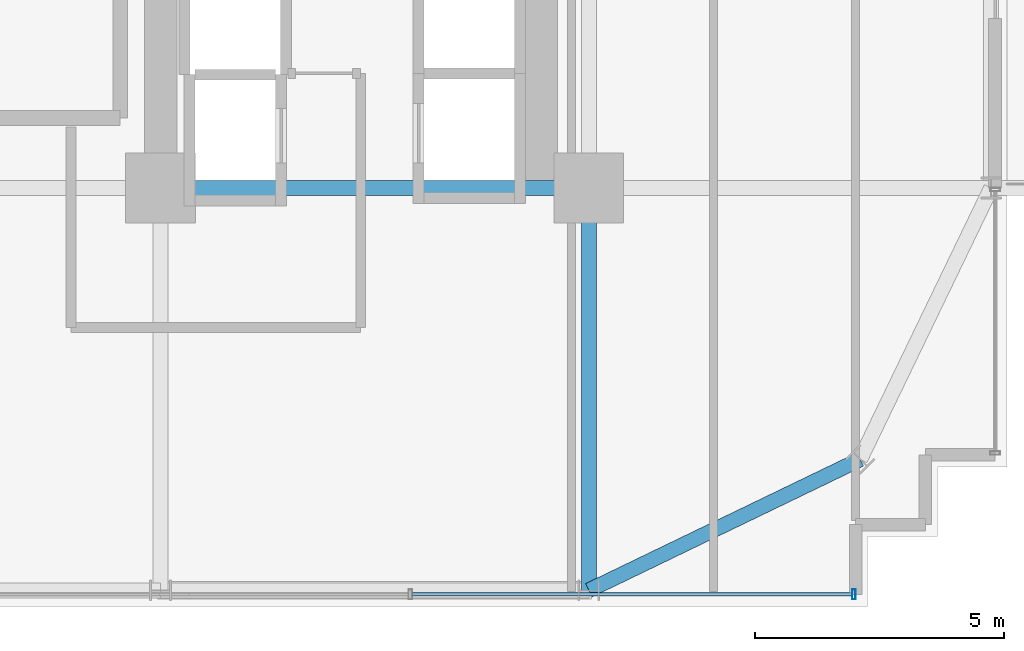
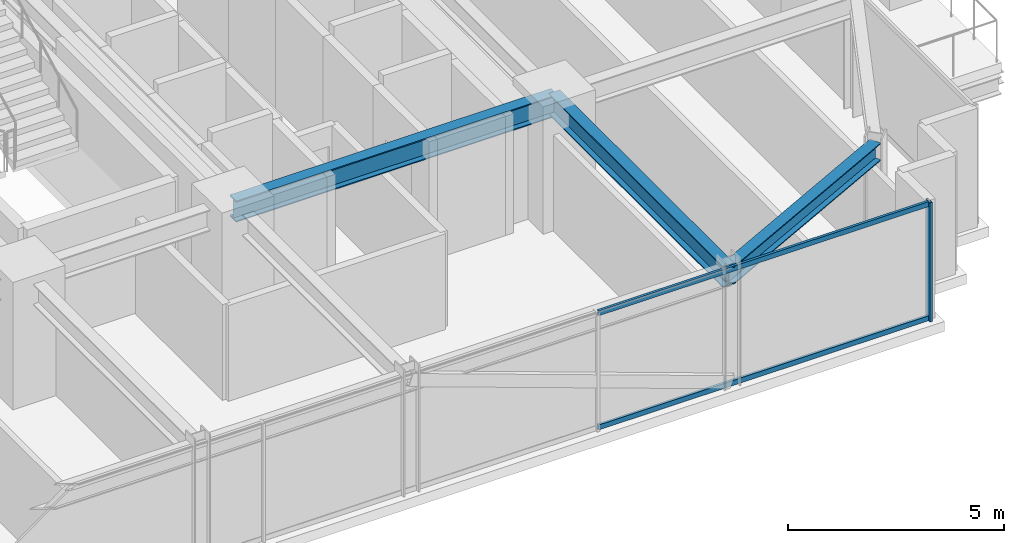
# One storey, part 15 of 41: 3 beams, 3 members, 1 element without a shape of its own.
"""IFC4 building model written with IfcOpenShell, lengths in metres."""

from ifc_helpers import new_model, si_unit, direction, frame, origin, origin_2d, place, context, subcontext, project, spatial, hollow_rectangle, i_section, extrude, source, transform, mapped, material, material_profile, profile_set, type_object, element, aggregate, save


model = new_model("IFC4")

# Units and contexts
model_context = context("Model", 3, precision=1e-05, world=origin(), true_north=direction((0.0, 1.0)))
body_context = subcontext(model_context, "Body", "Model", "MODEL_VIEW")
ifc_project = project(units=[si_unit("LENGTHUNIT", "METRE"), si_unit("AREAUNIT", "SQUARE_METRE"), si_unit("VOLUMEUNIT", "CUBIC_METRE"), si_unit("PLANEANGLEUNIT", "RADIAN"), si_unit("MASSUNIT", "GRAM", prefix="KILO")], contexts=[model_context])

# Site, building, storey
site_placement = place(None, origin())
site = spatial("IfcSite", under=ifc_project, at=site_placement, CompositionType="ELEMENT")
building_placement = place(site_placement, origin())
building = spatial("IfcBuilding", under=site, at=building_placement, Name="Nahalor Promenade Grand Hotel", CompositionType="ELEMENT")
storey_placement = place(building_placement, frame((0.0, 0.0, 54.300048828125)))
storey = spatial("IfcBuildingStorey", under=building, at=storey_placement, Name="L12", CompositionType="ELEMENT", Elevation=54.300048828125)

# Beams
ifc_material_1 = material(Name="Steel S355JR", Category="steel")
ifc_material_profile_1 = material_profile(ifc_material_1, i_section(OverallWidth=0.3, OverallDepth=0.6, WebThickness=0.0155, FlangeThickness=0.03, at=origin_2d()), Name="HEB 600")
ifc_profile_set_1 = profile_set([ifc_material_profile_1], Name="Steel S355JR")
beam_type_1 = type_object("IfcBeamType", Name="Beam-Girder-HEB600", PredefinedType="BEAM", material=ifc_profile_set_1)
shared_shape_1 = source(origin(), body_context, "Body", "SweptSolid", [
    extrude(i_section(OverallWidth=0.3, OverallDepth=0.6, WebThickness=0.0155, FlangeThickness=0.03, at=origin_2d()), origin(), (0.0, 0.0, 1.0), 8.60009765625),
])
beam_1_placement = place(storey_placement, frame((8.39990234375, -17.0, 3.070068359375), z_axis=(1.0, 0.0, 0.0), x_axis=(0.0, 1.0, 0.0)))
element("IfcBeam", 1, at=beam_1_placement, inside=storey, type_object=beam_type_1, Name="BM-L12-GX-0-5", PredefinedType="BEAM", context=body_context, shape_type="MappedRepresentation", body=[
    mapped(shared_shape_1, transform((0.0, 0.0, 0.0), scale=1.0)),
])
shared_shape_2 = source(origin(), body_context, "Body", "SweptSolid", [
    extrude(i_section(OverallWidth=0.3, OverallDepth=0.6, WebThickness=0.0155, FlangeThickness=0.03, at=origin_2d()), origin(), (0.0, 0.0, 1.0), 8.080078125),
])
beam_2_placement = place(storey_placement, frame((17.0, -25.080078125, 3.070068359375), z_axis=(0.0, 1.0, 0.0), x_axis=(-1.0, 0.0, 0.0)))
element("IfcBeam", 2, at=beam_2_placement, inside=storey, type_object=beam_type_1, Name="BM-L12-GY-5-0", PredefinedType="BEAM", context=body_context, shape_type="MappedRepresentation", body=[
    mapped(shared_shape_2, transform((0.0, 0.0, 0.0), scale=1.0)),
])
ifc_material_profile_2 = material_profile(ifc_material_1, i_section(OverallWidth=0.3, OverallDepth=0.5, WebThickness=0.0145, FlangeThickness=0.028, at=origin_2d()), Name="HEB 500")
ifc_profile_set_2 = profile_set([ifc_material_profile_2], Name="Steel S355JR")
beam_type_2 = type_object("IfcBeamType", Name="Beam-Spandrel-HEB500", PredefinedType="SPANDREL", material=ifc_profile_set_2)
shared_shape_3 = source(origin(), body_context, "Body", "SweptSolid", [
    extrude(i_section(OverallWidth=0.3, OverallDepth=0.5, WebThickness=0.0145, FlangeThickness=0.028, at=origin_2d()), origin(), (0.0, 0.0, 1.0), 6.051513671875),
])
beam_3_placement = place(storey_placement, frame((17.0, -25.080078125, 3.119873046875), z_axis=(0.900608818852, 0.434630596492, 0.0), x_axis=(-0.434630596492, 0.900608818852, 0.0)))
element("IfcBeam", 3, at=beam_3_placement, inside=storey, type_object=beam_type_2, Name="BM-L12-SPC-SE-1", PredefinedType="SPANDREL", context=body_context, shape_type="MappedRepresentation", body=[
    mapped(shared_shape_3, transform((0.0, 0.0, 0.0), scale=1.0)),
])

# Curtain wall, members
ifc_material_2 = material(Name="Anodised Bronze Aluminium EN AW-6063 T6", Category="aluminium")
curtain_wall_type = type_object("IfcCurtainWallType", Name="CW3 Elliptical-Void Collar Unitised Curtain Wall", PredefinedType="USERDEFINED", material=ifc_material_2)
curtain_wall_placement = place(storey_placement, origin())
curtain_wall = element("IfcCurtainWall", 4, at=curtain_wall_placement, inside=storey, type_object=curtain_wall_type, Name="L12 Curtain Wall CW-L12-S-1", ObjectType="UNITISED_CURTAIN_WALL", PredefinedType="USERDEFINED")
ifc_material_profile_3 = material_profile(ifc_material_2, hollow_rectangle(XDim=0.07, YDim=0.2, WallThickness=0.005, at=origin_2d()), Name="CWM 70x200x5")
ifc_profile_set_3 = profile_set([ifc_material_profile_3], Name="Anodised Bronze Aluminium EN AW-6063 T6")
member_type_1 = type_object("IfcMemberType", Name="CWM3 Void Collar Mullion 70x200", PredefinedType="MULLION", material=ifc_profile_set_3)
shared_shape_4 = source(origin(), body_context, "Body", "SweptSolid", [
    extrude(hollow_rectangle(XDim=0.07, YDim=0.2, WallThickness=0.005, at=origin_2d()), origin(), (0.0, 0.0, 1.0), 3.369873046875),
])
member_1_placement = place(storey_placement, frame((22.324951171875, -25.159912109375, 0.0), z_axis=(0.0, 0.0, 1.0), x_axis=(1.0, 0.0, 0.0)))
member_1 = element("IfcMember", 5, at=member_1_placement, type_object=member_type_1, Name="CW-L12-S-1 Mullion 5", PredefinedType="MULLION", context=body_context, shape_type="MappedRepresentation", body=[
    mapped(shared_shape_4, transform((0.0, 0.0, 0.0), scale=1.0)),
])
ifc_material_profile_4 = material_profile(ifc_material_2, hollow_rectangle(XDim=0.07, YDim=0.14, WallThickness=0.004, at=origin_2d()), Name="CWT 70x140x4")
ifc_profile_set_4 = profile_set([ifc_material_profile_4], Name="Anodised Bronze Aluminium EN AW-6063 T6")
member_type_2 = type_object("IfcMemberType", Name="CWT3 Void Collar Transom 70x140", PredefinedType="USERDEFINED", material=ifc_profile_set_4)
shared_shape_5 = source(origin(), body_context, "Body", "SweptSolid", [
    extrude(hollow_rectangle(XDim=0.07, YDim=0.14, WallThickness=0.004, at=origin_2d()), origin(), (0.0, 0.0, 1.0), 8.839111328125),
])
member_2_placement = place(storey_placement, frame((13.450927734375, -25.159912109375, 0.070068359375), z_axis=(1.0, 0.0, 0.0), x_axis=(0.0, 1.0, 0.0)))
member_2 = element("IfcMember", 6, at=member_2_placement, type_object=member_type_2, Name="CW-L12-S-1 Transom 4-0", ObjectType="TRANSOM", PredefinedType="USERDEFINED", context=body_context, shape_type="MappedRepresentation", body=[
    mapped(shared_shape_5, transform((0.0, 0.0, 0.0), scale=1.0)),
])
member_3_placement = place(storey_placement, frame((13.450927734375, -25.159912109375, 3.300048828125), z_axis=(1.0, 0.0, 0.0), x_axis=(0.0, 1.0, 0.0)))
member_3 = element("IfcMember", 7, at=member_3_placement, type_object=member_type_2, Name="CW-L12-S-1 Transom 4-1", ObjectType="TRANSOM", PredefinedType="USERDEFINED", context=body_context, shape_type="MappedRepresentation", body=[
    mapped(shared_shape_5, transform((0.0, 0.0, 0.0), scale=1.0)),
])
aggregate(curtain_wall, [member_1, member_2, member_3])

save(model, "model.ifc")
